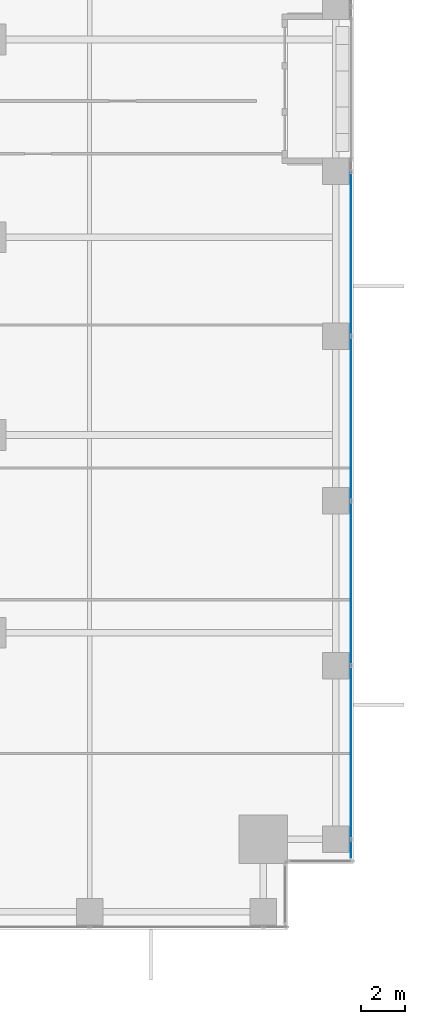
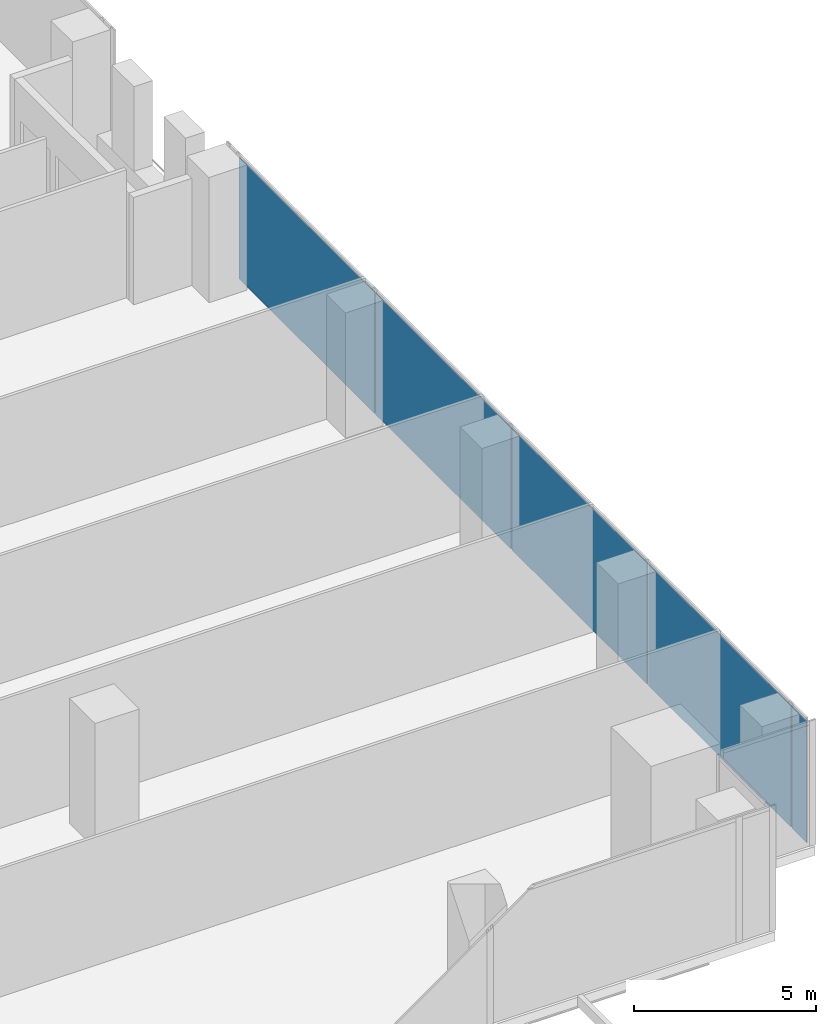
# One storey, part 23 of 32: 5 plates, 1 element without a shape of its own.
"""IFC4 building model written with IfcOpenShell, lengths in metres."""

from ifc_helpers import new_model, si_unit, direction, frame, origin, origin_2d, place, context, subcontext, project, spatial, rectangle, extrude, source, transform, mapped, material, layer, layer_set, type_object, element, aggregate, save


model = new_model("IFC4")

# Units and contexts
model_context = context("Model", 3, precision=1e-05, world=origin(), true_north=direction((0.0, 1.0)))
body_context = subcontext(model_context, "Body", "Model", "MODEL_VIEW")
ifc_project = project(units=[si_unit("LENGTHUNIT", "METRE"), si_unit("AREAUNIT", "SQUARE_METRE"), si_unit("VOLUMEUNIT", "CUBIC_METRE"), si_unit("PLANEANGLEUNIT", "RADIAN"), si_unit("MASSUNIT", "GRAM", prefix="KILO")], contexts=[model_context])

# Site, building, storey
site_placement = place(None, origin())
site = spatial("IfcSite", under=ifc_project, at=site_placement, CompositionType="ELEMENT")
building_placement = place(site_placement, origin())
building = spatial("IfcBuilding", under=site, at=building_placement, Name="Khomas Fold Tower", CompositionType="ELEMENT")
storey_placement = place(building_placement, frame((0.0, 0.0, 64.5)))
storey = spatial("IfcBuildingStorey", under=building, at=storey_placement, Name="L13", CompositionType="ELEMENT", Elevation=64.5)

# Curtain wall, plates
ifc_material_1 = material(Name="Aluminium framed double glazing", Category="aluminium")
curtain_wall_type = type_object("IfcCurtainWallType", Name="SK-Unitised clear-glass wall, growing floors CW1", PredefinedType="NOTDEFINED", material=ifc_material_1)
curtain_wall_placement = place(storey_placement, origin())
curtain_wall = element("IfcCurtainWall", 1, at=curtain_wall_placement, inside=storey, type_object=curtain_wall_type, Name="CW1 run L13 03-0", PredefinedType="NOTDEFINED")
ifc_material_2 = material(Name="Clear double glazed unit")
ifc_layer = layer(ifc_material_2, 0.031982421875)
ifc_layer_set = layer_set([ifc_layer], Name="Clear double glazed unit")
plate_type = type_object("IfcPlateType", Name="SK-Unitised clear-glass wall, growing floors glass panel CW1-P", PredefinedType="CURTAIN_PANEL", material=ifc_layer_set)
shared_shape_1 = source(origin(), body_context, "Body", "SweptSolid", [
    extrude(rectangle(XDim=0.81005859375, YDim=0.031982421875, at=origin_2d()), origin(), (0.0, 0.0, 1.0), 4.080078125),
])
plate_1_placement = place(storey_placement, frame((53.89990234375, 3.6650390625, 0.0), z_axis=(0.0, 0.0, 1.0), x_axis=(0.0, 1.0, 0.0)))
plate_1 = element("IfcPlate", 2, at=plate_1_placement, type_object=plate_type, Name="CW1 glass panel 1", PredefinedType="CURTAIN_PANEL", context=body_context, shape_type="MappedRepresentation", body=[
    mapped(shared_shape_1, transform((0.0, 0.0, 0.0))),
])
shared_shape_2 = source(origin(), body_context, "Body", "SweptSolid", [
    extrude(rectangle(XDim=7.840087890625, YDim=0.031982421875, at=origin_2d()), origin(), (0.0, 0.0, 1.0), 4.080078125),
])
plate_2_placement = place(storey_placement, frame((53.89990234375, 8.050048828125, 0.0), z_axis=(0.0, 0.0, 1.0), x_axis=(0.0, 1.0, 0.0)))
plate_2 = element("IfcPlate", 3, at=plate_2_placement, type_object=plate_type, Name="CW1 glass panel 2", PredefinedType="CURTAIN_PANEL", context=body_context, shape_type="MappedRepresentation", body=[
    mapped(shared_shape_2, transform((0.0, 0.0, 0.0))),
])
shared_shape_3 = source(origin(), body_context, "Body", "SweptSolid", [
    extrude(rectangle(XDim=7.43994140625, YDim=0.031982421875, at=origin_2d()), origin(), (0.0, 0.0, 1.0), 4.080078125),
])
plate_3_placement = place(storey_placement, frame((53.89990234375, 15.75, 0.0), z_axis=(0.0, 0.0, 1.0), x_axis=(0.0, 1.0, 0.0)))
plate_3 = element("IfcPlate", 4, at=plate_3_placement, type_object=plate_type, Name="CW1 glass panel 3", PredefinedType="CURTAIN_PANEL", context=body_context, shape_type="MappedRepresentation", body=[
    mapped(shared_shape_3, transform((0.0, 0.0, 0.0))),
])
plate_4_placement = place(storey_placement, frame((53.89990234375, 23.25, 0.0), z_axis=(0.0, 0.0, 1.0), x_axis=(0.0, 1.0, 0.0)))
plate_4 = element("IfcPlate", 5, at=plate_4_placement, type_object=plate_type, Name="CW1 glass panel 4", PredefinedType="CURTAIN_PANEL", context=body_context, shape_type="MappedRepresentation", body=[
    mapped(shared_shape_3, transform((0.0, 0.0, 0.0))),
])
plate_5_placement = place(storey_placement, frame((53.89990234375, 30.75, 0.0), z_axis=(0.0, 0.0, 1.0), x_axis=(0.0, 1.0, 0.0)))
plate_5 = element("IfcPlate", 6, at=plate_5_placement, type_object=plate_type, Name="CW1 glass panel 5", PredefinedType="CURTAIN_PANEL", context=body_context, shape_type="MappedRepresentation", body=[
    mapped(shared_shape_3, transform((0.0, 0.0, 0.0))),
])
aggregate(curtain_wall, [plate_1, plate_2, plate_3, plate_4, plate_5])

save(model, "model.ifc")
